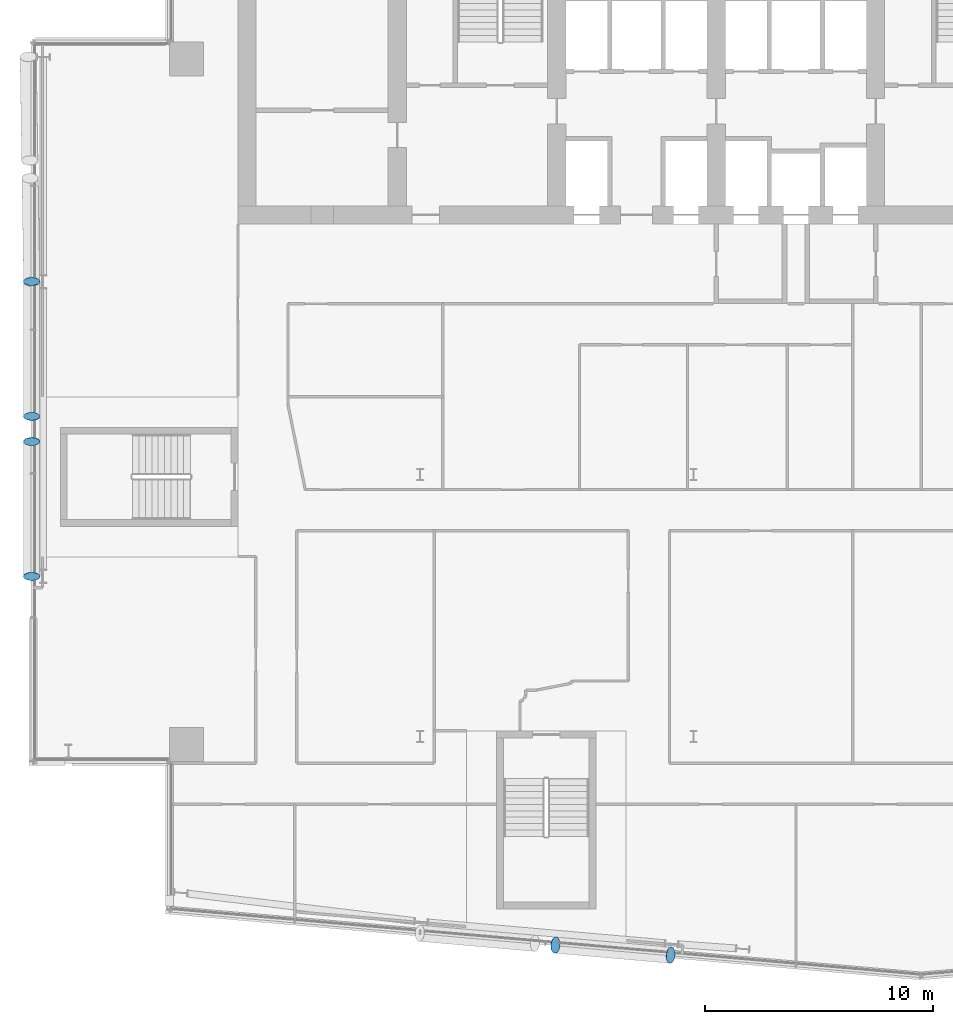
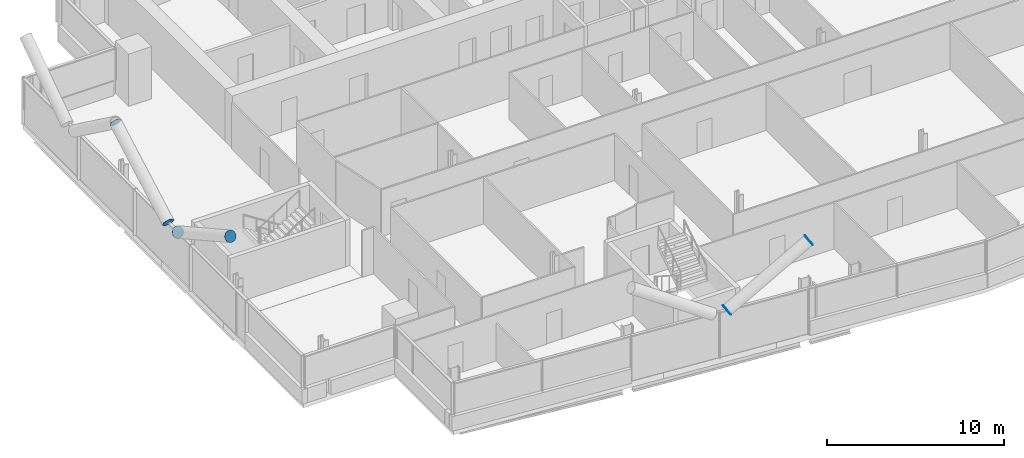
# One storey, part 21 of 27: 6 discrete accessories.
"""IFC4 building model written with IfcOpenShell, lengths in metres."""

from ifc_helpers import new_model, si_unit, direction, frame, origin, origin_2d, place, context, subcontext, project, spatial, circle, extrude, material, material_profile, profile_set, type_object, element, save


model = new_model("IFC4")

# Units and contexts
model_context = context("Model", 3, precision=1e-05, world=origin(), true_north=direction((0.0, 1.0)))
body_context = subcontext(model_context, "Body", "Model", "MODEL_VIEW")
ifc_project = project(units=[si_unit("LENGTHUNIT", "METRE"), si_unit("AREAUNIT", "SQUARE_METRE"), si_unit("VOLUMEUNIT", "CUBIC_METRE"), si_unit("PLANEANGLEUNIT", "RADIAN"), si_unit("MASSUNIT", "GRAM", prefix="KILO")], contexts=[model_context])

# Site, building, storey
site_placement = place(None, origin())
site = spatial("IfcSite", under=ifc_project, at=site_placement, CompositionType="ELEMENT")
building_placement = place(site_placement, origin())
building = spatial("IfcBuilding", under=site, at=building_placement, Name="Wharfspan Tower", CompositionType="ELEMENT")
storey_placement = place(building_placement, frame((0.0, 0.0, 195.100098)))
storey = spatial("IfcBuildingStorey", under=building, at=storey_placement, Name="L48", CompositionType="ELEMENT", Elevation=195.100098)

# Discrete accessories
ifc_material = material(Name="Steel S460NH", Category="steel")
ifc_material_profile = material_profile(ifc_material, circle(Radius=0.355469, at=origin_2d()))
ifc_profile_set = profile_set([ifc_material_profile], Name="Steel S460NH")
discrete_accessory_type = type_object("IfcDiscreteAccessoryType", Name="End plate CHS 711x36", PredefinedType="BRACKET", material=ifc_profile_set)
for number, where, z_axis, x_axis, name in (
    (1, (29.938721, 2.337891, 3.190186), (0.82608, -0.072889, 0.558819), (0.087894, 0.99613, -1e-06), "End plate CHS 711x36"),
    (2, (34.995117, 1.895508, 6.5), (0.844416, -0.072379, 0.530776), (0.085402, 0.99635, 0.0), "End plate CHS 711x36"),
    (3, (6.945068, 24.454346, 3.203613), (0.0, -0.874157, 0.485643), (1.0, 0.0, 0.0), "End plate CHS 711x36"),
    (4, (6.945068, 18.533447, 6.5), (0.0, -0.874157, 0.485643), (1.0, 0.0, 0.0), "End plate CHS 711x36"),
    (5, (6.945068, 25.545654, 3.203613), (0.0, 0.874157, 0.485643), (-1.0, 0.0, 0.0), "End plate CHS 711x36"),
    (6, (6.945068, 31.466553, 6.5), (0.0, 0.874157, 0.485643), (-1.0, 0.0, 0.0), "End plate CHS 711x36"),
):
    element("IfcDiscreteAccessory", number, at=place(storey_placement, frame(where, z_axis=z_axis, x_axis=x_axis)), inside=storey, type_object=discrete_accessory_type, Name=name, PredefinedType="BRACKET", context=body_context, shape_type="SweptSolid", body=[
        extrude(circle(Radius=0.355469, at=origin_2d()), origin(), (0.0, 0.0, 1.0), 0.01001),
    ])

save(model, "model.ifc")
